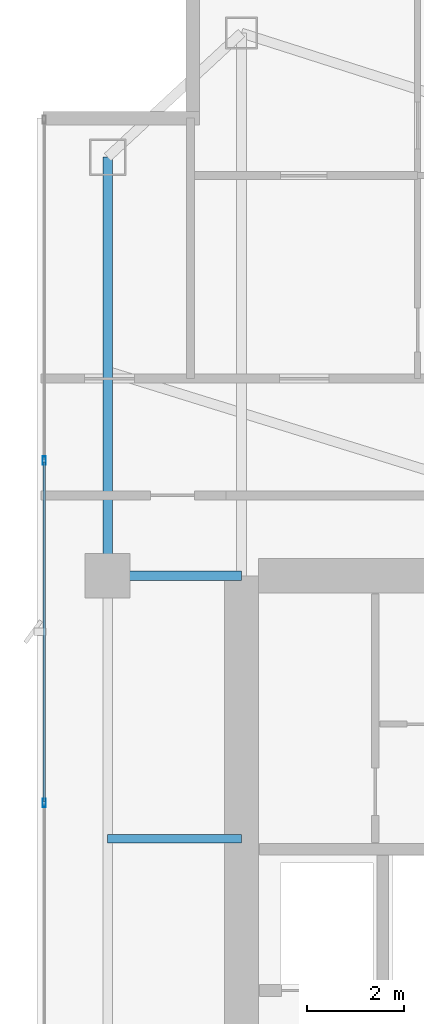
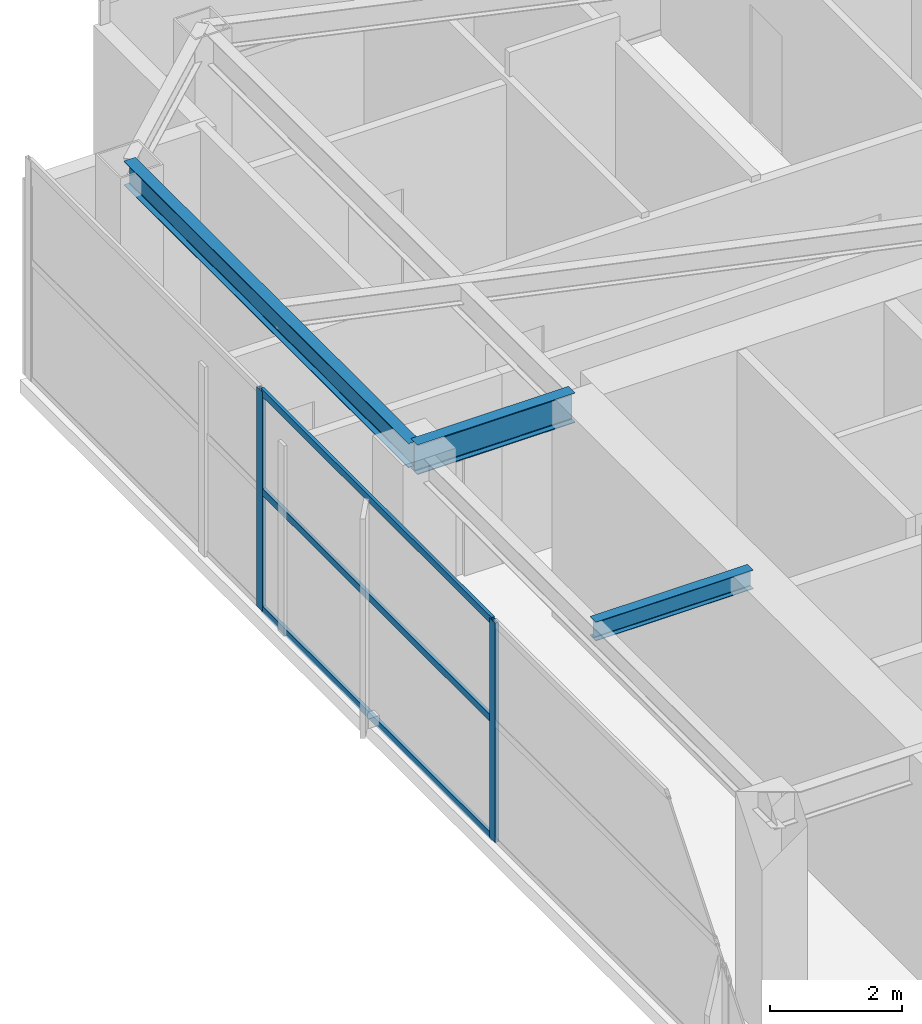
# One storey, part 16 of 29: 5 members, 3 beams, 1 element without a shape of its own.
"""IFC4 building model written with IfcOpenShell, lengths in metres."""

from ifc_helpers import new_model, si_unit, direction, frame, origin, origin_2d, place, context, subcontext, project, spatial, hollow_rectangle, i_section, extrude, material, layer, layer_set, material_profile, profile_set, type_object, element, aggregate, save


model = new_model("IFC4")

# Units and contexts
model_context = context("Model", 3, precision=1e-05, world=origin(), true_north=direction((0.0, 1.0)))
body_context = subcontext(model_context, "Body", "Model", "MODEL_VIEW")
ifc_project = project(units=[si_unit("LENGTHUNIT", "METRE"), si_unit("AREAUNIT", "SQUARE_METRE"), si_unit("VOLUMEUNIT", "CUBIC_METRE"), si_unit("PLANEANGLEUNIT", "RADIAN"), si_unit("MASSUNIT", "GRAM", prefix="KILO")], contexts=[model_context])

# Site, building, storey
site_placement = place(None, origin())
site = spatial("IfcSite", under=ifc_project, at=site_placement, CompositionType="ELEMENT")
building_placement = place(site_placement, origin())
building = spatial("IfcBuilding", under=site, at=building_placement, Name="Calvorn Quay Hotel", CompositionType="ELEMENT")
storey_placement = place(building_placement, frame((0.0, 0.0, 259.0)))
storey = spatial("IfcBuildingStorey", under=building, at=storey_placement, Name="L64", CompositionType="ELEMENT", Elevation=259.0)

# Beams
ifc_material_1 = material(Name="Steel Q355B", Category="steel")
ifc_material_profile_1 = material_profile(ifc_material_1, i_section(OverallWidth=0.199951171875, OverallDepth=0.550048828125, WebThickness=0.010009765625, FlangeThickness=0.01611328125, FilletRadius=0.01806640625, at=origin_2d()), Name="HN550x200x10x16")
ifc_profile_set_1 = profile_set([ifc_material_profile_1], Name="Steel Q355B")
beam_type_1 = type_object("IfcBeamType", Name="BM-GIRD-UPP", PredefinedType="BEAM", material=ifc_profile_set_1)
beam_1_placement = place(storey_placement, frame((1.449951171875, 38.39990234375, 3.77490234375), z_axis=(1.0, 0.0, 0.0), x_axis=(0.0, 1.0, 0.0)))
element("IfcBeam", 1, at=beam_1_placement, inside=storey, type_object=beam_type_1, Name="Beam BG-L64-W3", PredefinedType="BEAM", context=body_context, shape_type="SweptSolid", body=[
    extrude(i_section(OverallWidth=0.199951171875, OverallDepth=0.550048828125, WebThickness=0.010009765625, FlangeThickness=0.01611328125, FilletRadius=0.01806640625, at=origin_2d()), origin(), (0.0, 0.0, 1.0), 2.75),
])
ifc_material_2 = material(Name="Steel Q355B", Category="steel")
ifc_material_profile_2 = material_profile(ifc_material_2, i_section(OverallWidth=0.175048828125, OverallDepth=0.35009765625, WebThickness=0.007080078125, FlangeThickness=0.010986328125, FilletRadius=0.013916015625, at=origin_2d()), Name="HN350x175x7x11")
ifc_profile_set_2 = profile_set([ifc_material_profile_2], Name="Steel Q355B")
beam_type_2 = type_object("IfcBeamType", Name="BM-JOIST-SEC", PredefinedType="JOIST", material=ifc_profile_set_2)
beam_2_placement = place(storey_placement, frame((1.449951171875, 33.0, 3.875), z_axis=(1.0, 0.0, 0.0), x_axis=(0.0, 1.0, 0.0)))
element("IfcBeam", 2, at=beam_2_placement, inside=storey, type_object=beam_type_2, Name="Beam BJ-L64-W4", PredefinedType="JOIST", context=body_context, shape_type="SweptSolid", body=[
    extrude(i_section(OverallWidth=0.175048828125, OverallDepth=0.35009765625, WebThickness=0.007080078125, FlangeThickness=0.010986328125, FilletRadius=0.013916015625, at=origin_2d()), origin(), (0.0, 0.0, 1.0), 2.75),
])
ifc_material_3 = material(Name="Steel Q355B", Category="steel")
ifc_material_profile_3 = material_profile(ifc_material_3, i_section(OverallWidth=0.199951171875, OverallDepth=0.449951171875, WebThickness=0.009033203125, FlangeThickness=0.013916015625, FilletRadius=0.01611328125, at=origin_2d()), Name="HN450x200x9x14")
ifc_profile_set_3 = profile_set([ifc_material_profile_3], Name="Steel Q355B")
beam_type_3 = type_object("IfcBeamType", Name="BM-SPANDREL-Z3", PredefinedType="SPANDREL", material=ifc_profile_set_3)
beam_3_placement = place(storey_placement, frame((1.449951171875, 38.39990234375, 3.824951171875), z_axis=(0.0, 1.0, 0.0), x_axis=(-1.0, 0.0, 0.0)))
element("IfcBeam", 3, at=beam_3_placement, inside=storey, type_object=beam_type_3, Name="Beam BSP-L64-W4", PredefinedType="SPANDREL", context=body_context, shape_type="SweptSolid", body=[
    extrude(i_section(OverallWidth=0.199951171875, OverallDepth=0.449951171875, WebThickness=0.009033203125, FlangeThickness=0.013916015625, FilletRadius=0.01611328125, at=origin_2d()), origin(), (0.0, 0.0, 1.0), 8.60009765625),
])

# Curtain wall, members
ifc_material_4 = material(Name="Champagne Bronze Anodised Aluminium and Low-E Glass", Category="aluminium")
ifc_layer = layer(ifc_material_4, 0.219970703125)
ifc_layer_set = layer_set([ifc_layer], Name="CW-SYS-Z4")
curtain_wall_type = type_object("IfcCurtainWallType", Name="CW-SYS-Z4", PredefinedType="NOTDEFINED", material=ifc_layer_set)
curtain_wall_placement = place(storey_placement, origin())
curtain_wall = element("IfcCurtainWall", 4, at=curtain_wall_placement, inside=storey, type_object=curtain_wall_type, Name="Tower West Curtain Wall (L64)", PredefinedType="NOTDEFINED")
ifc_material_5 = material(Name="Champagne Bronze Anodised Aluminium 6063-T6", Category="aluminium")
ifc_material_profile_4 = material_profile(ifc_material_5, hollow_rectangle(XDim=0.06494140625, YDim=0.169921875, WallThickness=0.00341796875, at=origin_2d()), Name="ALU-M170x65x3.5")
ifc_profile_set_4 = profile_set([ifc_material_profile_4], Name="Champagne Bronze Anodised Aluminium 6063-T6")
member_type_1 = type_object("IfcMemberType", Name="CW-SYS-Z4-MUL", PredefinedType="MULLION", material=ifc_profile_set_4)
member_1_placement = place(storey_placement, frame((0.14990234375, 33.7333984375, 0.0), z_axis=(0.0, 0.0, 1.0), x_axis=(-1.0, 0.0, 0.0)))
member_1 = element("IfcMember", 5, at=member_1_placement, type_object=member_type_1, Name="CW-L64-W mullion 5", PredefinedType="MULLION", context=body_context, shape_type="SweptSolid", body=[
    extrude(hollow_rectangle(XDim=0.06494140625, YDim=0.169921875, WallThickness=0.00341796875, at=origin_2d()), origin(), (0.0, 0.0, 1.0), 4.050048828125),
])
member_2_placement = place(storey_placement, frame((0.14990234375, 40.7666015625, 0.0), z_axis=(0.0, 0.0, 1.0), x_axis=(-1.0, 0.0, 0.0)))
member_2 = element("IfcMember", 6, at=member_2_placement, type_object=member_type_1, Name="CW-L64-W mullion 6", PredefinedType="MULLION", context=body_context, shape_type="SweptSolid", body=[
    extrude(hollow_rectangle(XDim=0.06494140625, YDim=0.169921875, WallThickness=0.00341796875, at=origin_2d()), origin(), (0.0, 0.0, 1.0), 4.050048828125),
])
ifc_material_6 = material(Name="Champagne Bronze Anodised Aluminium 6063-T6", Category="aluminium")
ifc_material_profile_5 = material_profile(ifc_material_6, hollow_rectangle(XDim=0.054931640625, YDim=0.1298828125, WallThickness=0.003173828125, at=origin_2d()), Name="ALU-T130x55x3.2")
ifc_profile_set_5 = profile_set([ifc_material_profile_5], Name="Champagne Bronze Anodised Aluminium 6063-T6")
member_type_2 = type_object("IfcMemberType", Name="CW-SYS-Z4-TRN", PredefinedType="USERDEFINED", material=ifc_profile_set_5)
member_3_placement = place(storey_placement, frame((0.14990234375, 33.763427734375, 0.030029296875), z_axis=(0.0, 1.0, 0.0), x_axis=(-1.0, 0.0, 0.0)))
member_3 = element("IfcMember", 7, at=member_3_placement, type_object=member_type_2, Name="CW-L64-W transom 5.1", ObjectType="TRANSOM", PredefinedType="USERDEFINED", context=body_context, shape_type="SweptSolid", body=[
    extrude(hollow_rectangle(XDim=0.054931640625, YDim=0.1298828125, WallThickness=0.003173828125, at=origin_2d()), origin(), (0.0, 0.0, 1.0), 6.97314453125),
])
member_4_placement = place(storey_placement, frame((0.14990234375, 33.763427734375, 2.199951171875), z_axis=(0.0, 1.0, 0.0), x_axis=(-1.0, 0.0, 0.0)))
member_4 = element("IfcMember", 8, at=member_4_placement, type_object=member_type_2, Name="CW-L64-W transom 5.2", ObjectType="TRANSOM", PredefinedType="USERDEFINED", context=body_context, shape_type="SweptSolid", body=[
    extrude(hollow_rectangle(XDim=0.054931640625, YDim=0.1298828125, WallThickness=0.003173828125, at=origin_2d()), origin(), (0.0, 0.0, 1.0), 6.97314453125),
])
member_5_placement = place(storey_placement, frame((0.14990234375, 33.763427734375, 4.02001953125), z_axis=(0.0, 1.0, 0.0), x_axis=(-1.0, 0.0, 0.0)))
member_5 = element("IfcMember", 9, at=member_5_placement, type_object=member_type_2, Name="CW-L64-W transom 5.3", ObjectType="TRANSOM", PredefinedType="USERDEFINED", context=body_context, shape_type="SweptSolid", body=[
    extrude(hollow_rectangle(XDim=0.054931640625, YDim=0.1298828125, WallThickness=0.003173828125, at=origin_2d()), origin(), (0.0, 0.0, 1.0), 6.97314453125),
])
aggregate(curtain_wall, [member_1, member_2, member_3, member_4, member_5])

save(model, "model.ifc")
